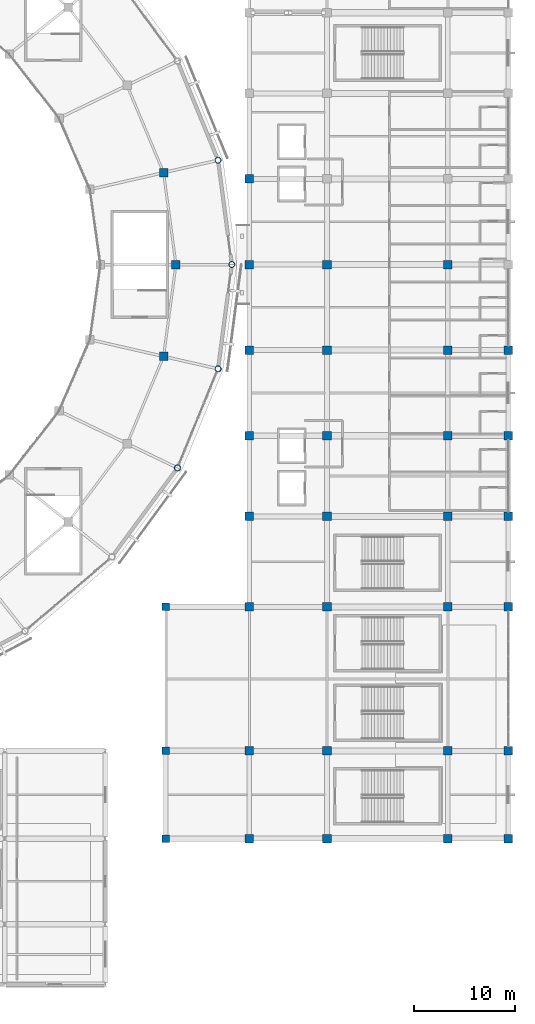
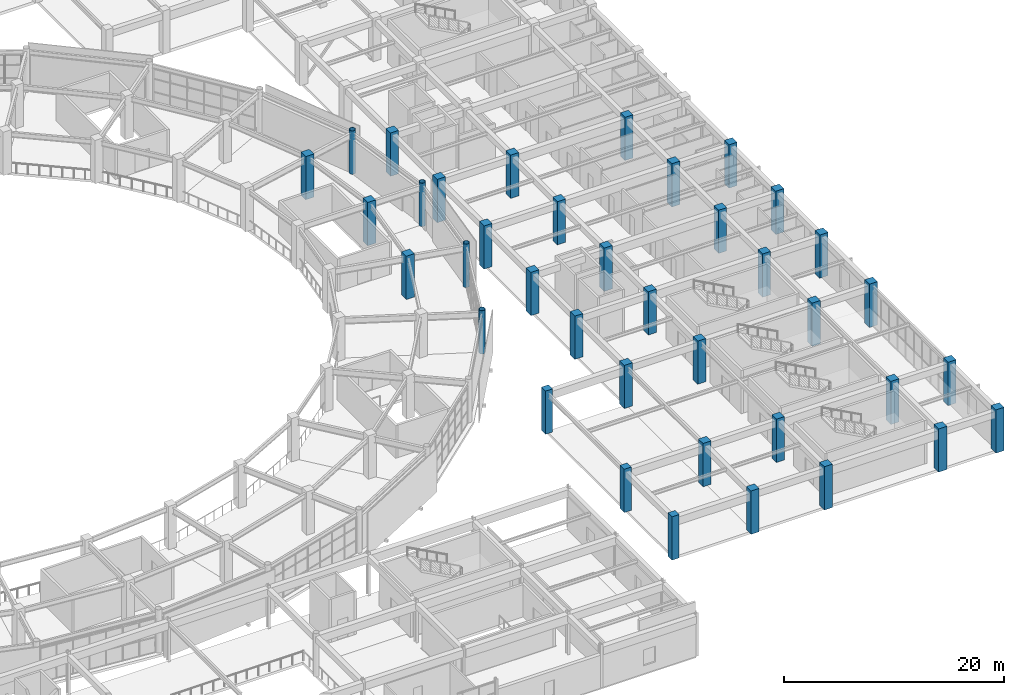
# One storey, part 11 of 112: 38 columns.
"""IFC4 building model written with IfcOpenShell, lengths in metres."""

from ifc_helpers import new_model, si_unit, direction, frame, origin, origin_2d, place, context, subcontext, project, spatial, rectangle, hollow_circle, extrude, material, material_profile, profile_set, type_object, element, save


model = new_model("IFC4")

# Units and contexts
model_context = context("Model", 3, precision=1e-05, world=origin(), true_north=direction((0.0, 1.0)))
body_context = subcontext(model_context, "Body", "Model", "MODEL_VIEW")
ifc_project = project(units=[si_unit("LENGTHUNIT", "METRE"), si_unit("AREAUNIT", "SQUARE_METRE"), si_unit("VOLUMEUNIT", "CUBIC_METRE"), si_unit("PLANEANGLEUNIT", "RADIAN"), si_unit("MASSUNIT", "GRAM", prefix="KILO")], contexts=[model_context])

# Site, building, storey
site_placement = place(None, origin())
site = spatial("IfcSite", under=ifc_project, at=site_placement, CompositionType="ELEMENT")
building_placement = place(site_placement, origin())
building = spatial("IfcBuilding", under=site, at=building_placement, Name="Cuetzalor Civic Arena", CompositionType="ELEMENT")
storey_placement = place(building_placement, frame((0.0, 0.0, 11.39990234375)))
storey = spatial("IfcBuildingStorey", under=building, at=storey_placement, Name="L02", CompositionType="ELEMENT", Elevation=11.39990234375)

# Columns
ifc_material_1 = material(Name="Concrete C40/50", Category="concrete")
ifc_material_profile_1 = material_profile(ifc_material_1, rectangle(XDim=0.75, YDim=0.75, at=origin_2d()), Name="RC 750x750")
ifc_profile_set_1 = profile_set([ifc_material_profile_1], Name="Concrete C40/50")
column_type_1 = type_object("IfcColumnType", Name="ConcreteColumn_750", PredefinedType="COLUMN", material=ifc_profile_set_1)
for number, where, z_axis, x_axis, name in (
    (1, (48.0, -57.0, 0.0), (0.0, 0.0, 1.0), (1.0, 0.0, 0.0), "Column V4E-RET-01 L02"),
    (2, (48.0, -48.300048828125, 0.0), (0.0, 0.0, 1.0), (1.0, 0.0, 0.0), "Column V4E-RET-02 L02"),
    (3, (48.0, -34.0, 0.0), (0.0, 0.0, 1.0), (1.0, 0.0, 0.0), "Column V4E-RET-03 L02"),
):
    element("IfcColumn", number, at=place(storey_placement, frame(where, z_axis=z_axis, x_axis=x_axis)), inside=storey, type_object=column_type_1, Name=name, PredefinedType="COLUMN", context=body_context, shape_type="SweptSolid", body=[
        extrude(rectangle(XDim=0.75, YDim=0.75, at=origin_2d()), origin(), (0.0, 0.0, 1.0), 4.800048828125),
    ])
ifc_material_2 = material(Name="Concrete C40/50", Category="concrete")
ifc_material_profile_2 = material_profile(ifc_material_2, rectangle(XDim=0.85009765625, YDim=0.85009765625, at=origin_2d()), Name="RC 850x850")
ifc_profile_set_2 = profile_set([ifc_material_profile_2], Name="Concrete C40/50")
column_type_2 = type_object("IfcColumnType", Name="ConcreteColumn_850", PredefinedType="COLUMN", material=ifc_profile_set_2)
for number, where, z_axis, x_axis, name in (
    (4, (49.0, 0.0, 0.0), (0.0, 0.0, 1.0), (1.0, 0.0, 0.0), "Column V1-REC-01 L02"),
    (5, (47.771484375, 9.123291015625, 0.0), (0.0, 0.0, 1.0), (1.0, 0.0, 0.0), "Column V1-REC-02 L02"),
    (6, (47.771484375, -9.123291015625, 0.0), (0.0, 0.0, 1.0), (1.0, 0.0, 0.0), "Column V1-REC-28 L02"),
    (7, (56.300048828125, -57.0, 0.0), (0.0, 0.0, 1.0), (1.0, 0.0, 0.0), "Column V4E-C-01-01 L02"),
    (8, (56.300048828125, -48.300048828125, 0.0), (0.0, 0.0, 1.0), (1.0, 0.0, 0.0), "Column V4E-C-01-02 L02"),
    (9, (56.300048828125, -34.0, 0.0), (0.0, 0.0, 1.0), (1.0, 0.0, 0.0), "Column V4E-C-01-03 L02"),
    (10, (56.300048828125, -25.0, 0.0), (0.0, 0.0, 1.0), (1.0, 0.0, 0.0), "Column V4E-C-01-04 L02"),
    (11, (56.300048828125, -17.0, 0.0), (0.0, 0.0, 1.0), (1.0, 0.0, 0.0), "Column V4E-C-01-05 L02"),
    (12, (56.300048828125, -8.5, 0.0), (0.0, 0.0, 1.0), (1.0, 0.0, 0.0), "Column V4E-C-01-06 L02"),
    (13, (56.300048828125, 0.0, 0.0), (0.0, 0.0, 1.0), (1.0, 0.0, 0.0), "Column V4E-C-01-07 L02"),
    (14, (56.300048828125, 8.5, 0.0), (0.0, 0.0, 1.0), (1.0, 0.0, 0.0), "Column V4E-C-01-08 L02"),
    (15, (64.0, -57.0, 0.0), (0.0, 0.0, 1.0), (1.0, 0.0, 0.0), "Column V4E-C-02-01 L02"),
    (16, (64.0, -48.300048828125, 0.0), (0.0, 0.0, 1.0), (1.0, 0.0, 0.0), "Column V4E-C-02-02 L02"),
    (17, (64.0, -34.0, 0.0), (0.0, 0.0, 1.0), (1.0, 0.0, 0.0), "Column V4E-C-02-03 L02"),
    (18, (64.0, -25.0, 0.0), (0.0, 0.0, 1.0), (1.0, 0.0, 0.0), "Column V4E-C-02-04 L02"),
    (19, (64.0, -17.0, 0.0), (0.0, 0.0, 1.0), (1.0, 0.0, 0.0), "Column V4E-C-02-05 L02"),
    (20, (64.0, -8.5, 0.0), (0.0, 0.0, 1.0), (1.0, 0.0, 0.0), "Column V4E-C-02-06 L02"),
    (21, (64.0, 0.0, 0.0), (0.0, 0.0, 1.0), (1.0, 0.0, 0.0), "Column V4E-C-02-07 L02"),
    (22, (76.0, -57.0, 0.0), (0.0, 0.0, 1.0), (1.0, 0.0, 0.0), "Column V4E-C-03-01 L02"),
    (23, (76.0, -48.300048828125, 0.0), (0.0, 0.0, 1.0), (1.0, 0.0, 0.0), "Column V4E-C-03-02 L02"),
    (24, (76.0, -34.0, 0.0), (0.0, 0.0, 1.0), (1.0, 0.0, 0.0), "Column V4E-C-03-03 L02"),
    (25, (76.0, -25.0, 0.0), (0.0, 0.0, 1.0), (1.0, 0.0, 0.0), "Column V4E-C-03-04 L02"),
    (26, (76.0, -17.0, 0.0), (0.0, 0.0, 1.0), (1.0, 0.0, 0.0), "Column V4E-C-03-05 L02"),
    (27, (76.0, -8.5, 0.0), (0.0, 0.0, 1.0), (1.0, 0.0, 0.0), "Column V4E-C-03-06 L02"),
    (28, (76.0, 0.0, 0.0), (0.0, 0.0, 1.0), (1.0, 0.0, 0.0), "Column V4E-C-03-07 L02"),
    (29, (82.0, -57.0, 0.0), (0.0, 0.0, 1.0), (1.0, 0.0, 0.0), "Column V4E-C-04-01 L02"),
    (30, (82.0, -48.300048828125, 0.0), (0.0, 0.0, 1.0), (1.0, 0.0, 0.0), "Column V4E-C-04-02 L02"),
    (31, (82.0, -34.0, 0.0), (0.0, 0.0, 1.0), (1.0, 0.0, 0.0), "Column V4E-C-04-03 L02"),
    (32, (82.0, -25.0, 0.0), (0.0, 0.0, 1.0), (1.0, 0.0, 0.0), "Column V4E-C-04-04 L02"),
    (33, (82.0, -17.0, 0.0), (0.0, 0.0, 1.0), (1.0, 0.0, 0.0), "Column V4E-C-04-05 L02"),
    (34, (82.0, -8.5, 0.0), (0.0, 0.0, 1.0), (1.0, 0.0, 0.0), "Column V4E-C-04-06 L02"),
):
    element("IfcColumn", number, at=place(storey_placement, frame(where, z_axis=z_axis, x_axis=x_axis)), inside=storey, type_object=column_type_2, Name=name, PredefinedType="COLUMN", context=body_context, shape_type="SweptSolid", body=[
        extrude(rectangle(XDim=0.85009765625, YDim=0.85009765625, at=origin_2d()), origin(), (0.0, 0.0, 1.0), 4.800048828125),
    ])
ifc_material_3 = material(Name="Steel S355", Category="steel")
ifc_material_profile_3 = material_profile(ifc_material_3, hollow_circle(Radius=0.304931640625, WallThickness=0.02490234375, at=origin_2d()), Name="CHS 610x25")
ifc_profile_set_3 = profile_set([ifc_material_profile_3], Name="Steel S355")
column_type_3 = type_object("IfcColumnType", Name="SteelDomePylon_CHS610", PredefinedType="COLUMN", material=ifc_profile_set_3)
for number, where, z_axis, x_axis, name in (
    (35, (54.550048828125, 0.0, 0.0), (0.0, 0.0, 1.0), (1.0, 0.0, 0.0), "Column V1-PYL-01 L02"),
    (36, (53.182373046875, 10.3583984375, 0.0), (0.0, 0.0, 1.0), (1.0, 0.0, 0.0), "Column V1-PYL-02 L02"),
    (37, (49.14794921875, -20.197265625, 0.0), (0.0, 0.0, 1.0), (1.0, 0.0, 0.0), "Column V1-PYL-27 L02"),
    (38, (53.182373046875, -10.3583984375, 0.0), (0.0, 0.0, 1.0), (1.0, 0.0, 0.0), "Column V1-PYL-28 L02"),
):
    element("IfcColumn", number, at=place(storey_placement, frame(where, z_axis=z_axis, x_axis=x_axis)), inside=storey, type_object=column_type_3, Name=name, PredefinedType="COLUMN", context=body_context, shape_type="SweptSolid", body=[
        extrude(hollow_circle(Radius=0.304931640625, WallThickness=0.02490234375, at=origin_2d()), origin(), (0.0, 0.0, 1.0), 4.800048828125),
    ])

save(model, "model.ifc")
